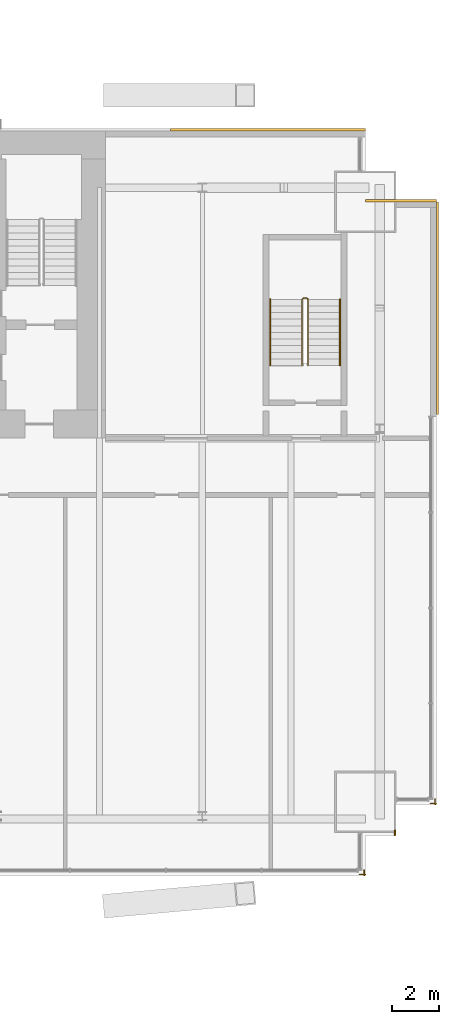
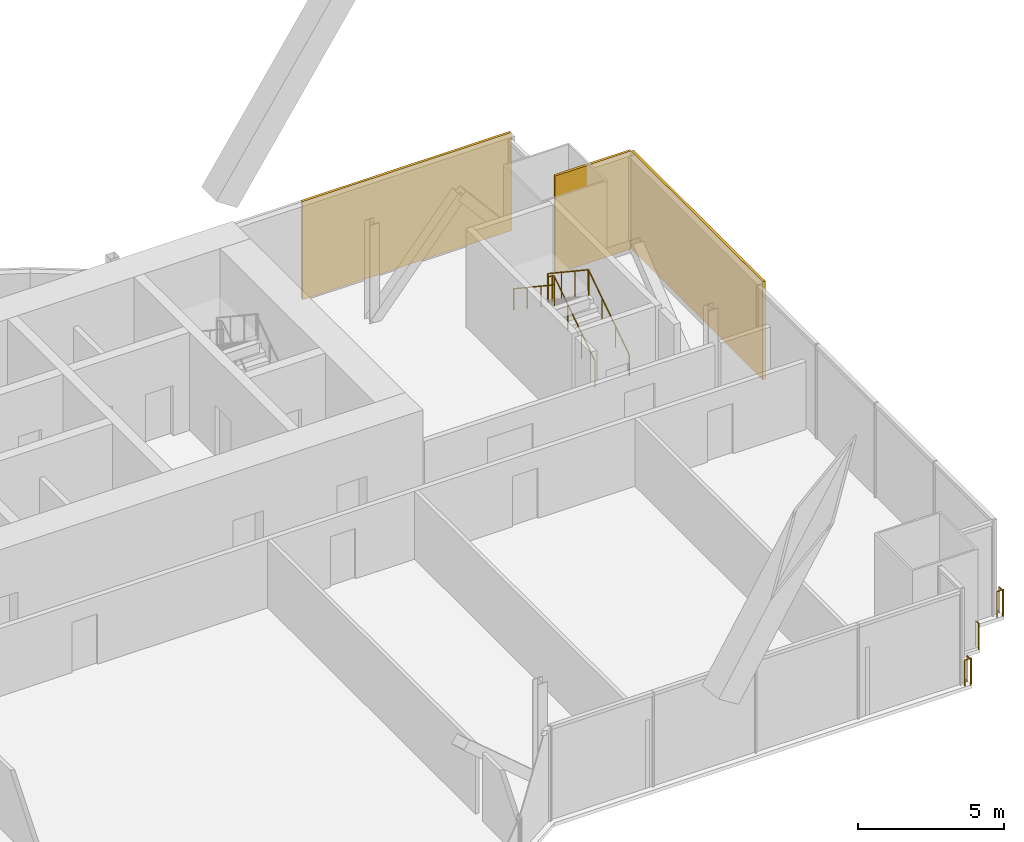
# One storey, part 20 of 20: 6 railings, 3 coverings.
"""IFC4 building model written with IfcOpenShell, lengths in metres."""

from ifc_helpers import new_model, si_unit, direction, frame, origin, origin_2d, place, context, subcontext, project, spatial, rectangle, circle, extrude, material, layer, layer_set, type_object, element, save


model = new_model("IFC4")

# Units and contexts
model_context = context("Model", 3, precision=1e-05, world=origin(), true_north=direction((0.0, 1.0)))
body_context = subcontext(model_context, "Body", "Model", "MODEL_VIEW")
ifc_project = project(units=[si_unit("LENGTHUNIT", "METRE"), si_unit("AREAUNIT", "SQUARE_METRE"), si_unit("VOLUMEUNIT", "CUBIC_METRE"), si_unit("PLANEANGLEUNIT", "RADIAN"), si_unit("MASSUNIT", "GRAM", prefix="KILO")], contexts=[model_context])

# Site, building, storey
site_placement = place(None, origin())
site = spatial("IfcSite", under=ifc_project, at=site_placement, CompositionType="ELEMENT")
building_placement = place(site_placement, origin())
building = spatial("IfcBuilding", under=site, at=building_placement, Name="Bicima Exchange Tower", CompositionType="ELEMENT")
storey_placement = place(building_placement, frame((0.0, 0.0, 219.60009765625)))
storey = spatial("IfcBuildingStorey", under=building, at=storey_placement, Name="L49", CompositionType="ELEMENT", Elevation=219.60009765625)

# Coverings
ifc_material_1 = material(Name="Bronze metal cladding")
ifc_layer_1 = layer(ifc_material_1, 0.004)
ifc_material_2 = material(Name="Ventilated cavity")
ifc_layer_2 = layer(ifc_material_2, 0.06)
ifc_material_3 = material(Name="Galvanised steel rail and mineral wool", Category="steel")
ifc_layer_3 = layer(ifc_material_3, 0.036)
ifc_layer_set = layer_set([ifc_layer_1, ifc_layer_2, ifc_layer_3], Name="Ventilated cavity")
covering_type = type_object("IfcCoveringType", Name="Bronze metal cladding panel 100", PredefinedType="CLADDING", material=ifc_layer_set)
covering_1_placement = place(storey_placement, frame((28.875, 0.050048828125, -0.150146484375), z_axis=(0.0, 0.0, 1.0), x_axis=(-1.0, 0.0, 0.0)))
element("IfcCovering", 1, at=covering_1_placement, inside=storey, type_object=covering_type, Name="Bronze cladding L49 1.1", PredefinedType="CLADDING", context=body_context, shape_type="SweptSolid", body=[
    extrude(rectangle(XDim=8.25, YDim=0.10009765625, at=origin_2d()), origin(), (0.0, 0.0, 1.0), 4.10009765625),
])
covering_2_placement = place(storey_placement, frame((36.050048828125, -7.5, -0.150146484375), z_axis=(0.0, 0.0, 1.0), x_axis=(0.0, 1.0, 0.0)))
element("IfcCovering", 2, at=covering_2_placement, inside=storey, type_object=covering_type, Name="Bronze cladding L49 50.1", PredefinedType="CLADDING", context=body_context, shape_type="SweptSolid", body=[
    extrude(rectangle(XDim=9.0, YDim=0.10009765625, at=origin_2d()), origin(), (0.0, 0.0, 1.0), 4.10009765625),
])
covering_3_placement = place(storey_placement, frame((34.5, -2.949951171875, -0.150146484375), z_axis=(0.0, 0.0, 1.0), x_axis=(-1.0, 0.0, 0.0)))
element("IfcCovering", 3, at=covering_3_placement, inside=storey, type_object=covering_type, Name="Bronze cladding L49 51.1", PredefinedType="CLADDING", context=body_context, shape_type="SweptSolid", body=[
    extrude(rectangle(XDim=3.0, YDim=0.10009765625, at=origin_2d()), origin(), (0.0, 0.0, 1.0), 4.10009765625),
])

# Railings
ifc_material_4 = material(Name="Stainless steel and bonded safety glass", Category="steel")
railing_type_1 = type_object("IfcRailingType", Name="Edge guard 1100", PredefinedType="GUARDRAIL", material=ifc_material_4)
railing_1_placement = place(storey_placement, frame((35.949951171875, -28.260009765625, 0.0)))
element("IfcRailing", 4, at=railing_1_placement, inside=storey, type_object=railing_type_1, Name="Edge guard L49 250", PredefinedType="GUARDRAIL", context=body_context, shape_type="SweptSolid", body=[
    extrude(circle(Radius=0.02392578125, at=origin_2d()), frame((0.0, 0.0, 1.076171875), z_axis=(0.0, -1.0, 0.0), x_axis=(1.0, 0.0, 0.0)), (0.0, 0.0, 1.0), 0.248046875),
    extrude(circle(Radius=0.02392578125, at=origin_2d()), frame((0.0, -0.248046875, 1.076171875), z_axis=(0.707106781187, 0.707106781187, 0.0), x_axis=(-0.707106781187, 0.707106781187, 0.0)), (0.0, 0.0, 1.0), 0.07080078125),
    extrude(circle(Radius=0.02392578125, at=origin_2d()), frame((0.050048828125, -0.197998046875, 1.076171875), z_axis=(-1.0, 0.0, 0.0), x_axis=(0.0, -1.0, 0.0)), (0.0, 0.0, 1.0), 0.242919921875),
    extrude(circle(Radius=0.02099609375, at=origin_2d()), origin(), (0.0, 0.0, 1.0), 1.052001953125),
    extrude(circle(Radius=0.02099609375, at=origin_2d()), frame((0.0, -0.248046875, 0.0)), (0.0, 0.0, 1.0), 1.052001953125),
    extrude(circle(Radius=0.02099609375, at=origin_2d()), frame((0.050048828125, -0.197998046875, 0.0)), (0.0, 0.0, 1.0), 1.052001953125),
    extrude(circle(Radius=0.02099609375, at=origin_2d()), frame((-0.19287109375, -0.197998046875, 0.0)), (0.0, 0.0, 1.0), 1.052001953125),
])
railing_2_placement = place(storey_placement, frame((34.25, -29.591064453125, 0.0)))
element("IfcRailing", 5, at=railing_2_placement, inside=storey, type_object=railing_type_1, Name="Edge guard L49 251", PredefinedType="GUARDRAIL", context=body_context, shape_type="SweptSolid", body=[
    extrude(circle(Radius=0.02392578125, at=origin_2d()), frame((0.0, 0.0, 1.076171875), z_axis=(0.0, -1.0, 0.0), x_axis=(1.0, 0.0, 0.0)), (0.0, 0.0, 1.0), 0.217041015625),
    extrude(circle(Radius=0.02099609375, at=origin_2d()), origin(), (0.0, 0.0, 1.0), 1.052001953125),
    extrude(circle(Radius=0.02099609375, at=origin_2d()), frame((0.0, -0.217041015625, 0.0)), (0.0, 0.0, 1.0), 1.052001953125),
])
railing_3_placement = place(storey_placement, frame((32.949951171875, -31.264892578125, 0.0)))
element("IfcRailing", 6, at=railing_3_placement, inside=storey, type_object=railing_type_1, Name="Edge guard L49 252", PredefinedType="GUARDRAIL", context=body_context, shape_type="SweptSolid", body=[
    extrude(circle(Radius=0.02392578125, at=origin_2d()), frame((0.0, 0.0, 1.076171875), z_axis=(0.0, -1.0, 0.0), x_axis=(1.0, 0.0, 0.0)), (0.0, 0.0, 1.0), 0.2431640625),
    extrude(circle(Radius=0.02392578125, at=origin_2d()), frame((0.0, -0.2431640625, 1.076171875), z_axis=(0.707106781187, 0.707106781187, 0.0), x_axis=(-0.707106781187, 0.707106781187, 0.0)), (0.0, 0.0, 1.0), 0.07080078125),
    extrude(circle(Radius=0.02392578125, at=origin_2d()), frame((0.050048828125, -0.193115234375, 1.076171875), z_axis=(-1.0, 0.0, 0.0), x_axis=(0.0, -1.0, 0.0)), (0.0, 0.0, 1.0), 0.25),
    extrude(circle(Radius=0.02099609375, at=origin_2d()), origin(), (0.0, 0.0, 1.0), 1.052001953125),
    extrude(circle(Radius=0.02099609375, at=origin_2d()), frame((0.0, -0.2431640625, 0.0)), (0.0, 0.0, 1.0), 1.052001953125),
    extrude(circle(Radius=0.02099609375, at=origin_2d()), frame((0.050048828125, -0.193115234375, 0.0)), (0.0, 0.0, 1.0), 1.052001953125),
    extrude(circle(Radius=0.02099609375, at=origin_2d()), frame((-0.199951171875, -0.193115234375, 0.0)), (0.0, 0.0, 1.0), 1.052001953125),
])
ifc_material_5 = material(Name="Stainless steel", Category="steel")
railing_type_2 = type_object("IfcRailingType", Name="Stair guard 1100", PredefinedType="GUARDRAIL", material=ifc_material_5)
railing_4_placement = place(storey_placement, frame((30.574951171875, -9.925048828125, 0.186279296875)))
element("IfcRailing", 7, at=railing_4_placement, inside=storey, type_object=railing_type_2, Name="L49 ST-EE stair guard 1", PredefinedType="GUARDRAIL", context=body_context, shape_type="SweptSolid", body=[
    extrude(circle(Radius=0.02392578125, at=origin_2d()), frame((0.0, 0.0, 1.076171875), z_axis=(0.0, 0.832485552168, 0.554046753832), x_axis=(-1.0, 0.0, 0.0)), (0.0, 0.0, 1.0), 3.363525390625),
    extrude(circle(Radius=0.02392578125, at=origin_2d()), frame((0.0, 2.800048828125, 2.939453125), z_axis=(-0.707106781187, 0.707106781187, 0.0), x_axis=(-0.707106781187, -0.707106781187, 0.0)), (0.0, 0.0, 1.0), 0.07080078125),
    extrude(circle(Radius=0.02392578125, at=origin_2d()), frame((-0.050048828125, 2.85009765625, 2.939453125), z_axis=(-1.0, 0.0, 0.0), x_axis=(0.0, -1.0, 0.0)), (0.0, 0.0, 1.0), 0.14990234375),
    extrude(circle(Radius=0.02392578125, at=origin_2d()), frame((-0.199951171875, 2.85009765625, 2.939453125), z_axis=(-0.250869701741, -0.250869701741, 0.934948546978), x_axis=(0.707106781187, -0.707106781187, 0.0)), (0.0, 0.0, 1.0), 0.199462890625),
    extrude(circle(Radius=0.02392578125, at=origin_2d()), frame((-0.25, 2.800048828125, 3.1259765625), z_axis=(0.0, -0.832485552168, 0.554046753832), x_axis=(1.0, 0.0, 0.0)), (0.0, 0.0, 1.0), 3.363525390625),
    extrude(circle(Radius=0.02099609375, at=origin_2d()), origin(), (0.0, 0.0, 1.0), 1.052001953125),
    extrude(circle(Radius=0.02099609375, at=origin_2d()), frame((0.0, 0.933349609375, 0.62109375)), (0.0, 0.0, 1.0), 1.052001953125),
    extrude(circle(Radius=0.02099609375, at=origin_2d()), frame((0.0, 1.86669921875, 1.242431640625)), (0.0, 0.0, 1.0), 1.052001953125),
    extrude(circle(Radius=0.02099609375, at=origin_2d()), frame((0.0, 2.800048828125, 1.863525390625)), (0.0, 0.0, 1.0), 1.052001953125),
    extrude(circle(Radius=0.02099609375, at=origin_2d()), frame((-0.050048828125, 2.85009765625, 1.863525390625)), (0.0, 0.0, 1.0), 1.052001953125),
    extrude(circle(Radius=0.02099609375, at=origin_2d()), frame((-0.199951171875, 2.85009765625, 1.863525390625)), (0.0, 0.0, 1.0), 1.052001953125),
    extrude(circle(Radius=0.02099609375, at=origin_2d()), frame((-0.25, 2.800048828125, 2.050048828125)), (0.0, 0.0, 1.0), 1.052001953125),
    extrude(circle(Radius=0.02099609375, at=origin_2d()), frame((-0.25, 1.86669921875, 2.671142578125)), (0.0, 0.0, 1.0), 1.052001953125),
    extrude(circle(Radius=0.02099609375, at=origin_2d()), frame((-0.25, 0.933349609375, 3.29248046875)), (0.0, 0.0, 1.0), 1.052001953125),
    extrude(circle(Radius=0.02099609375, at=origin_2d()), frame((-0.25, 0.0, 3.91357421875)), (0.0, 0.0, 1.0), 1.052001953125),
])
railing_type_3 = type_object("IfcRailingType", Name="Stair handrail 900", PredefinedType="HANDRAIL", material=ifc_material_5)
railing_5_placement = place(storey_placement, frame((31.925048828125, -9.925048828125, 0.186279296875)))
element("IfcRailing", 8, at=railing_5_placement, inside=storey, type_object=railing_type_3, Name="L49 ST-EE stair handrail 1", PredefinedType="HANDRAIL", context=body_context, shape_type="SweptSolid", body=[
    extrude(circle(Radius=0.02392578125, at=origin_2d()), frame((0.0, 0.0, 0.8759765625), z_axis=(0.0, 0.832485552168, 0.554046753832), x_axis=(-1.0, 0.0, 0.0)), (0.0, 0.0, 1.0), 3.363525390625),
    extrude(circle(Radius=0.02099609375, at=origin_2d()), origin(), (0.0, 0.0, 1.0), 0.851806640625),
    extrude(circle(Radius=0.02099609375, at=origin_2d()), frame((0.0, 0.933349609375, 0.62109375)), (0.0, 0.0, 1.0), 0.851806640625),
    extrude(circle(Radius=0.02099609375, at=origin_2d()), frame((0.0, 1.86669921875, 1.242431640625)), (0.0, 0.0, 1.0), 0.851806640625),
    extrude(circle(Radius=0.02099609375, at=origin_2d()), frame((0.0, 2.800048828125, 1.863525390625)), (0.0, 0.0, 1.0), 0.851806640625),
])
railing_6_placement = place(storey_placement, frame((28.97509765625, -7.125, 2.276611328125)))
element("IfcRailing", 9, at=railing_6_placement, inside=storey, type_object=railing_type_3, Name="L49 ST-EE stair handrail 2", PredefinedType="HANDRAIL", context=body_context, shape_type="SweptSolid", body=[
    extrude(circle(Radius=0.02392578125, at=origin_2d()), frame((0.0, 0.0, 0.8759765625), z_axis=(0.0, -0.832452072856, 0.554097055034), x_axis=(1.0, 0.0, 0.0)), (0.0, 0.0, 1.0), 3.363525390625),
    extrude(circle(Radius=0.02099609375, at=origin_2d()), origin(), (0.0, 0.0, 1.0), 0.851806640625),
    extrude(circle(Radius=0.02099609375, at=origin_2d()), frame((0.0, -0.933349609375, 0.621337890625)), (0.0, 0.0, 1.0), 0.851806640625),
    extrude(circle(Radius=0.02099609375, at=origin_2d()), frame((0.0, -1.86669921875, 1.242431640625)), (0.0, 0.0, 1.0), 0.851806640625),
    extrude(circle(Radius=0.02099609375, at=origin_2d()), frame((0.0, -2.800048828125, 1.86376953125)), (0.0, 0.0, 1.0), 0.851806640625),
])

save(model, "model.ifc")
